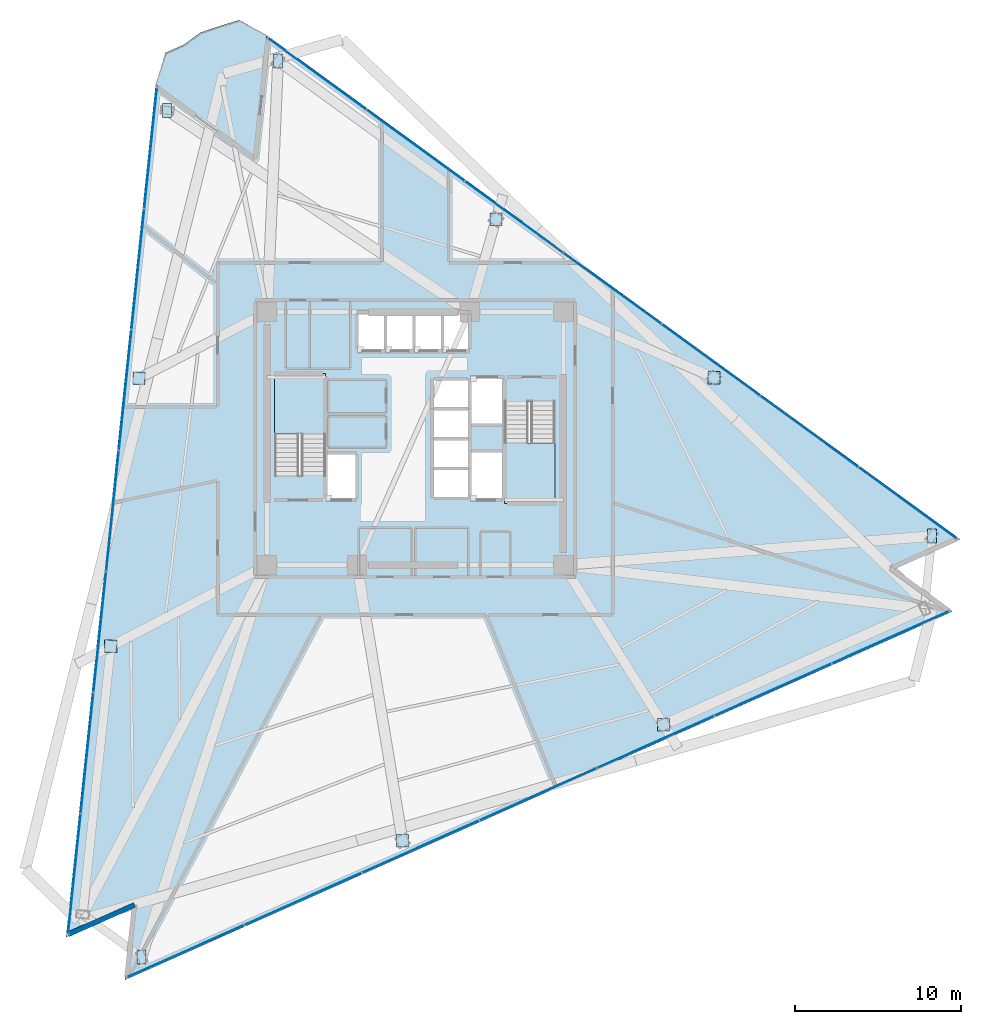
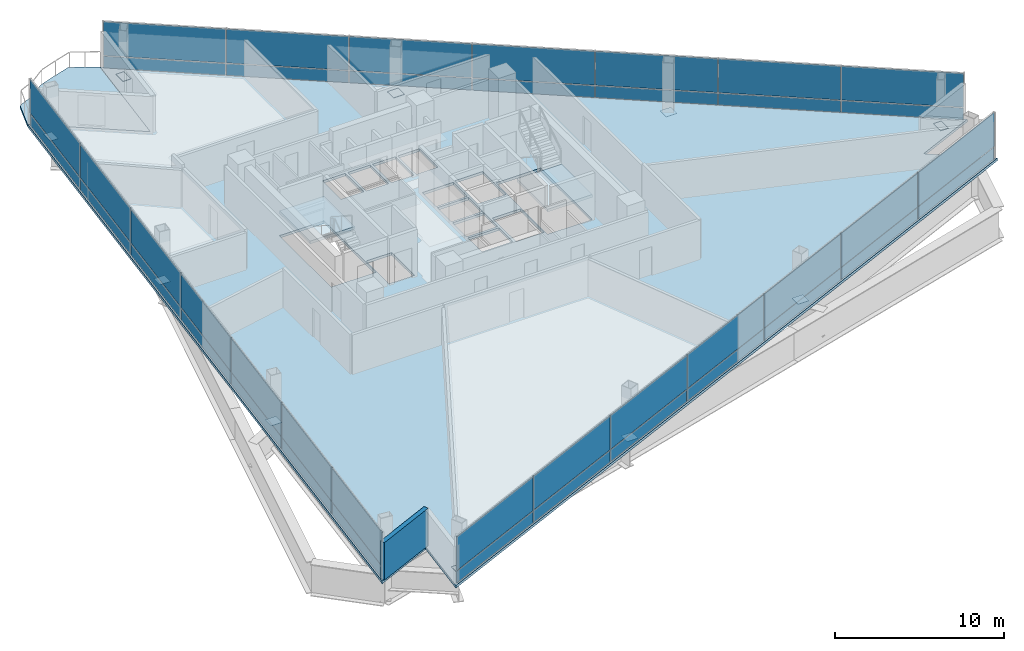
# One storey, part 10 of 17: 52 plates, 4 slabs, 1 wall, 5 elements without a shape of their own.
"""IFC4 building model written with IfcOpenShell, lengths in metres."""

import ifcopenshell
import ifcopenshell.guid

model = None  # the IFC model being written
_history = None  # IfcOwnerHistory: only IFC2X3 demands one
_inside = {}  # id of a spatial element -> (the spatial element, [elements in it])
_under = {}  # id of a project, library or spatial element -> (it, [spatial elements below it])
_declared = {}  # id of a project -> (the project, [libraries it declares])
_typed = {}  # id of a type object -> (the type object, [elements of that type])
_made_of = {}  # id of a material, layer set ... -> (it, [elements and type objects made of it])


def new_model(schema):
    """Start an empty IFC model of exactly this schema.

    Asked for "IFC4X3", IfcOpenShell would pick the latest addendum, in which some entities
    have other attributes; the version numbers below select the first issue.
    IFC2X3 requires an IfcOwnerHistory on every rooted entity: one is made here for all.
    """
    global model, _history
    if schema == "IFC4X3":
        model = ifcopenshell.file(schema_version=(4, 3, 0, 0))
    else:
        model = ifcopenshell.file(schema=schema)
    _inside.clear()
    _under.clear()
    _declared.clear()
    _typed.clear()
    _made_of.clear()
    _history = None
    if model.schema == "IFC2X3":
        org = make("IfcOrganization", Name="unknown")
        user = make(
            "IfcPersonAndOrganization",
            ThePerson=make("IfcPerson", FamilyName="unknown"),
            TheOrganization=org,
        )
        app = make(
            "IfcApplication",
            ApplicationDeveloper=org,
            Version="unknown",
            ApplicationFullName="unknown",
            ApplicationIdentifier="unknown",
        )
        _history = make(
            "IfcOwnerHistory",
            OwningUser=user,
            OwningApplication=app,
            ChangeAction="ADDED",
            CreationDate=0,
        )
    return model


def make(cls, **values):
    """One entity of the class cls with the attributes given. An attribute that is None is left unset."""
    return model.create_entity(
        cls, **{name: value for name, value in values.items() if value is not None}
    )


def rooted(cls, **values):
    """An entity with a GlobalId (a new one), such as an element, a storey or a relation."""
    return make(cls, GlobalId=ifcopenshell.guid.new(), OwnerHistory=_history, **values)


def si_unit(unit_type, name, prefix=None):
    """IfcSIUnit, for example si_unit("LENGTHUNIT", "METRE", prefix="MILLI")."""
    return make("IfcSIUnit", UnitType=unit_type, Prefix=prefix, Name=name)


def assignment(units):
    """IfcUnitAssignment: the units of a project."""
    return None if units is None else make("IfcUnitAssignment", Units=units)


def point(xyz):
    """IfcCartesianPoint."""
    return None if xyz is None else make("IfcCartesianPoint", Coordinates=xyz)


def direction(xyz):
    """IfcDirection."""
    return None if xyz is None else make("IfcDirection", DirectionRatios=xyz)


def frame(location, z_axis=None, x_axis=None):
    """IfcAxis2Placement3D, a coordinate frame: its origin and axes. An axis left out is left unset."""
    return make(
        "IfcAxis2Placement3D",
        Location=point(location),
        Axis=direction(z_axis),
        RefDirection=direction(x_axis),
    )


def frame_2d(location, x_axis=None):
    """IfcAxis2Placement2D, a coordinate frame in the plane: its origin and x axis."""
    return make(
        "IfcAxis2Placement2D", Location=point(location), RefDirection=direction(x_axis)
    )


def origin():
    """The frame at (0, 0, 0) with its axes left unset."""
    return frame((0.0, 0.0, 0.0))


def origin_2d():
    """The frame at (0, 0) in the plane with its x axis left unset."""
    return frame_2d((0.0, 0.0))


def place(relative_to, where):
    """IfcLocalPlacement: puts the frame where relative to a parent placement (None: the world)."""
    return make(
        "IfcLocalPlacement", PlacementRelTo=relative_to, RelativePlacement=where
    )


def context(
    kind, dimensions, precision=None, world=None, true_north=None, identifier=None
):
    """IfcGeometricRepresentationContext, for example the 3D "Model" context."""
    return make(
        "IfcGeometricRepresentationContext",
        ContextIdentifier=identifier,
        ContextType=kind,
        CoordinateSpaceDimension=dimensions,
        Precision=precision,
        WorldCoordinateSystem=world,
        TrueNorth=true_north,
    )


def subcontext(parent, identifier, kind, view, scale=None):
    """IfcGeometricRepresentationSubContext, for example "Body" below "Model"."""
    return make(
        "IfcGeometricRepresentationSubContext",
        ContextIdentifier=identifier,
        ContextType=kind,
        ParentContext=parent,
        TargetScale=scale,
        TargetView=view,
    )


def project(units=None, contexts=None):
    """IfcProject with its units and contexts."""
    return rooted(
        "IfcProject",
        Name="project",
        RepresentationContexts=contexts,
        UnitsInContext=assignment(units),
    )


def spatial(cls, under=None, at=None, **own):
    """A site, building, storey or space (cls), placed at a placement, below another one or the project."""
    s = rooted(cls, ObjectPlacement=at, **own)
    if under is not None:
        _under.setdefault(under.id(), (under, []))[1].append(s)
    return s


def polyline(points):
    """IfcPolyline through the points."""
    return make("IfcPolyline", Points=[point(p) for p in points])


def profile(cls, at=None, kind="AREA", **sizes):
    """A parametric profile (cls). Its sizes go by their IFC names, for example OverallWidth=200.0."""
    return make(cls, ProfileType=kind, Position=at, **sizes)


def rectangle(**sizes):
    """IfcRectangleProfileDef."""
    return profile("IfcRectangleProfileDef", **sizes)


def outline(outer, holes=None, kind="AREA"):
    """IfcArbitraryClosedProfileDef: a profile drawn as a closed curve; with holes, ...WithVoids."""
    if holes is None:
        return make("IfcArbitraryClosedProfileDef", ProfileType=kind, OuterCurve=outer)
    return make(
        "IfcArbitraryProfileDefWithVoids",
        ProfileType=kind,
        OuterCurve=outer,
        InnerCurves=holes,
    )


def extrude(swept, where, along, depth):
    """IfcExtrudedAreaSolid: the profile swept, set in the frame where, extruded along a direction by depth."""
    return make(
        "IfcExtrudedAreaSolid",
        SweptArea=swept,
        Position=where,
        ExtrudedDirection=direction(along),
        Depth=depth,
    )


def shape(context_of_items, identifier, shape_type, items):
    """IfcShapeRepresentation: the items that make up one representation, for example the "Body"."""
    return make(
        "IfcShapeRepresentation",
        ContextOfItems=context_of_items,
        RepresentationIdentifier=identifier,
        RepresentationType=shape_type,
        Items=items,
    )


def material(Name=None, Category=None):
    """IfcMaterial."""
    return make("IfcMaterial", Name=Name, Category=Category)


def layer(
    of_material, thickness, ventilated=None, Name=None, Category=None, Priority=None
):
    """IfcMaterialLayer: one layer of a wall or slab, of a material (None: an air gap)."""
    return make(
        "IfcMaterialLayer",
        Material=of_material,
        LayerThickness=thickness,
        IsVentilated=ventilated,
        Name=Name,
        Category=Category,
        Priority=Priority,
    )


def layer_set(layers, Name=None):
    """IfcMaterialLayerSet."""
    return make("IfcMaterialLayerSet", MaterialLayers=layers, LayerSetName=Name)


def made_of(thing, what):
    """Note that an element or type object is made of a material, layer set ...; save() writes the relation."""
    if what is not None:
        _made_of.setdefault(what.id(), (what, []))[1].append(thing)
    return thing


def type_object(cls, material=None, **own):
    """A type object (cls), such as IfcWallType, which elements share."""
    return made_of(rooted(cls, **own), material)


def element(
    cls,
    number,
    at=None,
    inside=None,
    cuts=None,
    type_object=None,
    material=None,
    context=None,
    identifier="Body",
    shape_type=None,
    held_by="IfcProductDefinitionShape",
    body=None,
    shapes=None,
    **own,
):
    """One element of the class cls, such as IfcWall. Its Tag is "e" and its number.

    at: its placement. inside: the storey or other place that contains it. cuts: it is an
    opening in that element (IfcRelVoidsElement). A single representation is given by context,
    identifier, shape_type and body (its items); several are given by shapes. held_by: the class
    of the entity that holds the representations. save() writes the other relations.
    """
    e = rooted(cls, Tag="e%d" % number, ObjectPlacement=at, **own)
    if body is not None:
        shapes = [shape(context, identifier, shape_type, body)]
    if shapes is not None:
        e.Representation = make(held_by, Representations=shapes)
    if inside is not None:
        _inside.setdefault(inside.id(), (inside, []))[1].append(e)
    if cuts is not None:
        rooted(
            "IfcRelVoidsElement", RelatingBuildingElement=cuts, RelatedOpeningElement=e
        )
    if type_object is not None:
        _typed.setdefault(type_object.id(), (type_object, []))[1].append(e)
    return made_of(e, material)


def aggregate(whole, parts):
    """IfcRelAggregates: a whole, such as a stair, and the parts it consists of."""
    return rooted("IfcRelAggregates", RelatingObject=whole, RelatedObjects=parts)


def save(model, path):
    """Write the relations noted so far, then the file.

    IfcRelAggregates (storeys below a building ...), IfcRelContainedInSpatialStructure (elements
    in a storey), IfcRelDefinesByType, IfcRelAssociatesMaterial and IfcRelDeclares: one each for
    every whole, place, type object, material and project.
    """
    for whole, parts in _under.values():
        aggregate(whole, parts)
    for where, things in _inside.values():
        rooted(
            "IfcRelContainedInSpatialStructure",
            RelatedElements=things,
            RelatingStructure=where,
        )
    for kind, things in _typed.values():
        rooted("IfcRelDefinesByType", RelatedObjects=things, RelatingType=kind)
    for what, things in _made_of.values():
        rooted("IfcRelAssociatesMaterial", RelatedObjects=things, RelatingMaterial=what)
    for by, libraries in _declared.values():
        rooted("IfcRelDeclares", RelatingContext=by, RelatedDefinitions=libraries)
    model.write(path)


model = new_model("IFC4")

# Units and contexts
model_context = context("Model", 3, precision=1e-05, world=origin(), true_north=direction((0.0, 1.0)))
body_context = subcontext(model_context, "Body", "Model", "MODEL_VIEW")
ifc_project = project(units=[si_unit("LENGTHUNIT", "METRE"), si_unit("AREAUNIT", "SQUARE_METRE"), si_unit("VOLUMEUNIT", "CUBIC_METRE"), si_unit("PLANEANGLEUNIT", "RADIAN"), si_unit("MASSUNIT", "GRAM", prefix="KILO")], contexts=[model_context])

# Site, building, storey
site_placement = place(None, origin())
site = spatial("IfcSite", under=ifc_project, at=site_placement, CompositionType="ELEMENT")
building_placement = place(site_placement, origin())
building = spatial("IfcBuilding", under=site, at=building_placement, Name="Tharavind Bronze Gate", CompositionType="ELEMENT")
storey_placement = place(building_placement, frame((0.0, 0.0, 112.449951171875)))
storey = spatial("IfcBuildingStorey", under=building, at=storey_placement, Name="L28", CompositionType="ELEMENT", Elevation=112.449951171875)

# Curtain wall, plates
ifc_material_1 = material(Name="Anodised Bronze Aluminium", Category="aluminium")
ifc_layer_1 = layer(ifc_material_1, 0.219970703125)
ifc_layer_set_1 = layer_set([ifc_layer_1], Name="Anodised Bronze Aluminium")
curtain_wall_type = type_object("IfcCurtainWallType", Name="UNITISED CURTAIN WALL LOWER OFFICE", PredefinedType="USERDEFINED", material=ifc_layer_set_1)
curtain_wall_1_placement = place(storey_placement, origin())
curtain_wall_1 = element("IfcCurtainWall", 1, at=curtain_wall_1_placement, inside=storey, type_object=curtain_wall_type, Name="L28 unitised curtain wall lower office CW-L28-S1", ObjectType="UNITISED CURTAIN WALL", PredefinedType="USERDEFINED")
ifc_material_2 = material(Name="Patinated Bronze Alloy Sheet", Category="bronze")
ifc_layer_2 = layer(ifc_material_2, 0.01611328125)
ifc_layer_set_2 = layer_set([ifc_layer_2], Name="Patinated Bronze Alloy Sheet")
plate_type_1 = type_object("IfcPlateType", Name="BRONZE SPANDREL CLADDING PANEL 16", PredefinedType="CURTAIN_PANEL", material=ifc_layer_set_2)
plate_1_placement = place(storey_placement, frame((-15.909912109375, 17.465087890625, 0.0263671875), z_axis=(0.0, 0.0, 1.0), x_axis=(-0.104526727499, -0.994522077803, 0.0)))
plate_1 = element("IfcPlate", 2, at=plate_1_placement, type_object=plate_type_1, Name="CW-L28-S1 bronze spandrel panel 1", PredefinedType="CURTAIN_PANEL", context=body_context, shape_type="SweptSolid", body=[
    extrude(rectangle(XDim=7.26025390625, YDim=0.01611328125, at=origin_2d()), origin(), (0.0, 0.0, 1.0), 0.846923828125),
])
plate_2_placement = place(storey_placement, frame((-16.67431640625, 10.19189453125, 0.0263671875), z_axis=(0.0, 0.0, 1.0), x_axis=(-0.104526727499, -0.994522077803, 0.0)))
plate_2 = element("IfcPlate", 3, at=plate_2_placement, type_object=plate_type_1, Name="CW-L28-S1 bronze spandrel panel 2", PredefinedType="CURTAIN_PANEL", context=body_context, shape_type="SweptSolid", body=[
    extrude(rectangle(XDim=7.26025390625, YDim=0.01611328125, at=origin_2d()), origin(), (0.0, 0.0, 1.0), 0.846923828125),
])
plate_3_placement = place(storey_placement, frame((-17.438720703125, 2.91845703125, 0.0263671875), z_axis=(0.0, 0.0, 1.0), x_axis=(-0.104526727499, -0.994522077803, 0.0)))
plate_3 = element("IfcPlate", 4, at=plate_3_placement, type_object=plate_type_1, Name="CW-L28-S1 bronze spandrel panel 3", PredefinedType="CURTAIN_PANEL", context=body_context, shape_type="SweptSolid", body=[
    extrude(rectangle(XDim=7.26025390625, YDim=0.01611328125, at=origin_2d()), origin(), (0.0, 0.0, 1.0), 0.846923828125),
])
plate_4_placement = place(storey_placement, frame((-18.203125, -4.354736328125, 0.0263671875), z_axis=(0.0, 0.0, 1.0), x_axis=(-0.104526727499, -0.994522077803, 0.0)))
plate_4 = element("IfcPlate", 5, at=plate_4_placement, type_object=plate_type_1, Name="CW-L28-S1 bronze spandrel panel 4", PredefinedType="CURTAIN_PANEL", context=body_context, shape_type="SweptSolid", body=[
    extrude(rectangle(XDim=7.26025390625, YDim=0.01611328125, at=origin_2d()), origin(), (0.0, 0.0, 1.0), 0.846923828125),
])
plate_5_placement = place(storey_placement, frame((-18.967529296875, -11.628173828125, 0.0263671875), z_axis=(0.0, 0.0, 1.0), x_axis=(-0.104526727499, -0.994522077803, 0.0)))
plate_5 = element("IfcPlate", 6, at=plate_5_placement, type_object=plate_type_1, Name="CW-L28-S1 bronze spandrel panel 5", PredefinedType="CURTAIN_PANEL", context=body_context, shape_type="SweptSolid", body=[
    extrude(rectangle(XDim=7.26025390625, YDim=0.01611328125, at=origin_2d()), origin(), (0.0, 0.0, 1.0), 0.846923828125),
])
plate_6_placement = place(storey_placement, frame((-19.73193359375, -18.9013671875, 0.0263671875), z_axis=(0.0, 0.0, 1.0), x_axis=(-0.104526727499, -0.994522077803, 0.0)))
plate_6 = element("IfcPlate", 7, at=plate_6_placement, type_object=plate_type_1, Name="CW-L28-S1 bronze spandrel panel 6", PredefinedType="CURTAIN_PANEL", context=body_context, shape_type="SweptSolid", body=[
    extrude(rectangle(XDim=7.26025390625, YDim=0.01611328125, at=origin_2d()), origin(), (0.0, 0.0, 1.0), 0.846923828125),
])
plate_7_placement = place(storey_placement, frame((-20.49658203125, -26.1748046875, 0.0263671875), z_axis=(0.0, 0.0, 1.0), x_axis=(-0.104526727499, -0.994522077803, 0.0)))
plate_7 = element("IfcPlate", 8, at=plate_7_placement, type_object=plate_type_1, Name="CW-L28-S1 bronze spandrel panel 7", PredefinedType="CURTAIN_PANEL", context=body_context, shape_type="SweptSolid", body=[
    extrude(rectangle(XDim=7.26025390625, YDim=0.01611328125, at=origin_2d()), origin(), (0.0, 0.0, 1.0), 0.846923828125),
])

curtain_wall_2_placement = place(storey_placement, origin())
curtain_wall_2 = element("IfcCurtainWall", 9, at=curtain_wall_2_placement, inside=storey, type_object=curtain_wall_type, Name="L28 unitised curtain wall lower office CW-L28-S2", ObjectType="UNITISED CURTAIN WALL", PredefinedType="USERDEFINED")
plate_8_placement = place(storey_placement, frame((-13.80419921875, -30.813720703125, 0.0263671875), z_axis=(0.0, 0.0, 1.0), x_axis=(0.913545457643, 0.406736643076, 0.0)))
plate_8 = element("IfcPlate", 10, at=plate_8_placement, type_object=plate_type_1, Name="CW-L28-S2 bronze spandrel panel 1", PredefinedType="CURTAIN_PANEL", context=body_context, shape_type="SweptSolid", body=[
    extrude(rectangle(XDim=7.677490234375, YDim=0.01611328125, at=origin_2d()), origin(), (0.0, 0.0, 1.0), 0.846923828125),
])
plate_9_placement = place(storey_placement, frame((-6.741943359375, -27.66943359375, 0.0263671875), z_axis=(0.0, 0.0, 1.0), x_axis=(0.913545457643, 0.406736643076, 0.0)))
plate_9 = element("IfcPlate", 11, at=plate_9_placement, type_object=plate_type_1, Name="CW-L28-S2 bronze spandrel panel 2", PredefinedType="CURTAIN_PANEL", context=body_context, shape_type="SweptSolid", body=[
    extrude(rectangle(XDim=7.677490234375, YDim=0.01611328125, at=origin_2d()), origin(), (0.0, 0.0, 1.0), 0.846923828125),
])
plate_10_placement = place(storey_placement, frame((0.3203125, -24.525146484375, 0.0263671875), z_axis=(0.0, 0.0, 1.0), x_axis=(0.913545457643, 0.406736643076, 0.0)))
plate_10 = element("IfcPlate", 12, at=plate_10_placement, type_object=plate_type_1, Name="CW-L28-S2 bronze spandrel panel 3", PredefinedType="CURTAIN_PANEL", context=body_context, shape_type="SweptSolid", body=[
    extrude(rectangle(XDim=7.677490234375, YDim=0.01611328125, at=origin_2d()), origin(), (0.0, 0.0, 1.0), 0.846923828125),
])
plate_11_placement = place(storey_placement, frame((7.38232421875, -21.380859375, 0.0263671875), z_axis=(0.0, 0.0, 1.0), x_axis=(0.913545457643, 0.406736643076, 0.0)))
plate_11 = element("IfcPlate", 13, at=plate_11_placement, type_object=plate_type_1, Name="CW-L28-S2 bronze spandrel panel 4", PredefinedType="CURTAIN_PANEL", context=body_context, shape_type="SweptSolid", body=[
    extrude(rectangle(XDim=7.677490234375, YDim=0.01611328125, at=origin_2d()), origin(), (0.0, 0.0, 1.0), 0.846923828125),
])
plate_12_placement = place(storey_placement, frame((14.4443359375, -18.236572265625, 0.0263671875), z_axis=(0.0, 0.0, 1.0), x_axis=(0.913545457643, 0.406736643076, 0.0)))
plate_12 = element("IfcPlate", 14, at=plate_12_placement, type_object=plate_type_1, Name="CW-L28-S2 bronze spandrel panel 5", PredefinedType="CURTAIN_PANEL", context=body_context, shape_type="SweptSolid", body=[
    extrude(rectangle(XDim=7.677490234375, YDim=0.01611328125, at=origin_2d()), origin(), (0.0, 0.0, 1.0), 0.846923828125),
])
plate_13_placement = place(storey_placement, frame((21.506591796875, -15.09228515625, 0.0263671875), z_axis=(0.0, 0.0, 1.0), x_axis=(0.913545457643, 0.406736643076, 0.0)))
plate_13 = element("IfcPlate", 15, at=plate_13_placement, type_object=plate_type_1, Name="CW-L28-S2 bronze spandrel panel 6", PredefinedType="CURTAIN_PANEL", context=body_context, shape_type="SweptSolid", body=[
    extrude(rectangle(XDim=7.677490234375, YDim=0.01611328125, at=origin_2d()), origin(), (0.0, 0.0, 1.0), 0.846923828125),
])
plate_14_placement = place(storey_placement, frame((28.568603515625, -11.947998046875, 0.0263671875), z_axis=(0.0, 0.0, 1.0), x_axis=(0.913545457643, 0.406736643076, 0.0)))
plate_14 = element("IfcPlate", 16, at=plate_14_placement, type_object=plate_type_1, Name="CW-L28-S2 bronze spandrel panel 7", PredefinedType="CURTAIN_PANEL", context=body_context, shape_type="SweptSolid", body=[
    extrude(rectangle(XDim=7.677490234375, YDim=0.01611328125, at=origin_2d()), origin(), (0.0, 0.0, 1.0), 0.846923828125),
])

curtain_wall_3_placement = place(storey_placement, origin())
curtain_wall_3 = element("IfcCurtainWall", 17, at=curtain_wall_3_placement, inside=storey, type_object=curtain_wall_type, Name="L28 unitised curtain wall lower office CW-L28-S3", ObjectType="UNITISED CURTAIN WALL", PredefinedType="USERDEFINED")
plate_15_placement = place(storey_placement, frame((29.599365234375, -3.87060546875, 0.0263671875), z_axis=(0.0, 0.0, 1.0), x_axis=(-0.809016994375, 0.587785252292, 0.0)))
plate_15 = element("IfcPlate", 18, at=plate_15_placement, type_object=plate_type_1, Name="CW-L28-S3 bronze spandrel panel 1", PredefinedType="CURTAIN_PANEL", context=body_context, shape_type="SweptSolid", body=[
    extrude(rectangle(XDim=7.260498046875, YDim=0.01611328125, at=origin_2d()), origin(), (0.0, 0.0, 1.0), 0.846923828125),
])
plate_16_placement = place(storey_placement, frame((23.6826171875, 0.427978515625, 0.0263671875), z_axis=(0.0, 0.0, 1.0), x_axis=(-0.809016994375, 0.587785252292, 0.0)))
plate_16 = element("IfcPlate", 19, at=plate_16_placement, type_object=plate_type_1, Name="CW-L28-S3 bronze spandrel panel 2", PredefinedType="CURTAIN_PANEL", context=body_context, shape_type="SweptSolid", body=[
    extrude(rectangle(XDim=7.260498046875, YDim=0.01611328125, at=origin_2d()), origin(), (0.0, 0.0, 1.0), 0.846923828125),
])
plate_17_placement = place(storey_placement, frame((17.76611328125, 4.726806640625, 0.0263671875), z_axis=(0.0, 0.0, 1.0), x_axis=(-0.809016994375, 0.587785252292, 0.0)))
plate_17 = element("IfcPlate", 20, at=plate_17_placement, type_object=plate_type_1, Name="CW-L28-S3 bronze spandrel panel 3", PredefinedType="CURTAIN_PANEL", context=body_context, shape_type="SweptSolid", body=[
    extrude(rectangle(XDim=7.260498046875, YDim=0.01611328125, at=origin_2d()), origin(), (0.0, 0.0, 1.0), 0.846923828125),
])
plate_18_placement = place(storey_placement, frame((11.849365234375, 9.025390625, 0.0263671875), z_axis=(0.0, 0.0, 1.0), x_axis=(-0.809016994375, 0.587785252292, 0.0)))
plate_18 = element("IfcPlate", 21, at=plate_18_placement, type_object=plate_type_1, Name="CW-L28-S3 bronze spandrel panel 4", PredefinedType="CURTAIN_PANEL", context=body_context, shape_type="SweptSolid", body=[
    extrude(rectangle(XDim=7.260498046875, YDim=0.01611328125, at=origin_2d()), origin(), (0.0, 0.0, 1.0), 0.846923828125),
])
plate_19_placement = place(storey_placement, frame((5.932861328125, 13.32421875, 0.0263671875), z_axis=(0.0, 0.0, 1.0), x_axis=(-0.809016994375, 0.587785252292, 0.0)))
plate_19 = element("IfcPlate", 22, at=plate_19_placement, type_object=plate_type_1, Name="CW-L28-S3 bronze spandrel panel 5", PredefinedType="CURTAIN_PANEL", context=body_context, shape_type="SweptSolid", body=[
    extrude(rectangle(XDim=7.260498046875, YDim=0.01611328125, at=origin_2d()), origin(), (0.0, 0.0, 1.0), 0.846923828125),
])
plate_20_placement = place(storey_placement, frame((0.01611328125, 17.622802734375, 0.0263671875), z_axis=(0.0, 0.0, 1.0), x_axis=(-0.809016994375, 0.587785252292, 0.0)))
plate_20 = element("IfcPlate", 23, at=plate_20_placement, type_object=plate_type_1, Name="CW-L28-S3 bronze spandrel panel 6", PredefinedType="CURTAIN_PANEL", context=body_context, shape_type="SweptSolid", body=[
    extrude(rectangle(XDim=7.260498046875, YDim=0.01611328125, at=origin_2d()), origin(), (0.0, 0.0, 1.0), 0.846923828125),
])
plate_21_placement = place(storey_placement, frame((-5.900390625, 21.921630859375, 0.0263671875), z_axis=(0.0, 0.0, 1.0), x_axis=(-0.809016994375, 0.587785252292, 0.0)))
plate_21 = element("IfcPlate", 24, at=plate_21_placement, type_object=plate_type_1, Name="CW-L28-S3 bronze spandrel panel 7", PredefinedType="CURTAIN_PANEL", context=body_context, shape_type="SweptSolid", body=[
    extrude(rectangle(XDim=7.260498046875, YDim=0.01611328125, at=origin_2d()), origin(), (0.0, 0.0, 1.0), 0.846923828125),
])

# Plate
ifc_material_3 = material(Name="Low-E Double Glazing", Category="glass")
ifc_layer_3 = layer(ifc_material_3, 0.031982421875)
ifc_layer_set_3 = layer_set([ifc_layer_3], Name="Low-E Double Glazing")
plate_type_2 = type_object("IfcPlateType", Name="DOUBLE GLAZED FACADE PANEL 32", PredefinedType="CURTAIN_PANEL", material=ifc_layer_set_3)
plate_22_placement = place(storey_placement, frame((-15.909912109375, 17.465087890625, 0.926513671875), z_axis=(0.0, 0.0, 1.0), x_axis=(-0.104526727499, -0.994522077803, 0.0)))
plate_22 = element("IfcPlate", 25, at=plate_22_placement, type_object=plate_type_2, Name="CW-L28-S1 vision glazing panel 1", PredefinedType="CURTAIN_PANEL", context=body_context, shape_type="SweptSolid", body=[
    extrude(rectangle(XDim=7.26025390625, YDim=0.031982421875, at=origin_2d()), origin(), (0.0, 0.0, 1.0), 2.45703125),
])

plate_23_placement = place(storey_placement, frame((-16.67431640625, 10.19189453125, 0.926513671875), z_axis=(0.0, 0.0, 1.0), x_axis=(-0.104526727499, -0.994522077803, 0.0)))
plate_23 = element("IfcPlate", 26, at=plate_23_placement, type_object=plate_type_2, Name="CW-L28-S1 vision glazing panel 2", PredefinedType="CURTAIN_PANEL", context=body_context, shape_type="SweptSolid", body=[
    extrude(rectangle(XDim=7.26025390625, YDim=0.031982421875, at=origin_2d()), origin(), (0.0, 0.0, 1.0), 2.45703125),
])

plate_24_placement = place(storey_placement, frame((-17.438720703125, 2.91845703125, 0.926513671875), z_axis=(0.0, 0.0, 1.0), x_axis=(-0.104526727499, -0.994522077803, 0.0)))
plate_24 = element("IfcPlate", 27, at=plate_24_placement, type_object=plate_type_2, Name="CW-L28-S1 vision glazing panel 3", PredefinedType="CURTAIN_PANEL", context=body_context, shape_type="SweptSolid", body=[
    extrude(rectangle(XDim=7.26025390625, YDim=0.031982421875, at=origin_2d()), origin(), (0.0, 0.0, 1.0), 2.45703125),
])

plate_25_placement = place(storey_placement, frame((-18.203125, -4.354736328125, 0.926513671875), z_axis=(0.0, 0.0, 1.0), x_axis=(-0.104526727499, -0.994522077803, 0.0)))
plate_25 = element("IfcPlate", 28, at=plate_25_placement, type_object=plate_type_2, Name="CW-L28-S1 vision glazing panel 4", PredefinedType="CURTAIN_PANEL", context=body_context, shape_type="SweptSolid", body=[
    extrude(rectangle(XDim=7.26025390625, YDim=0.031982421875, at=origin_2d()), origin(), (0.0, 0.0, 1.0), 2.45703125),
])

plate_26_placement = place(storey_placement, frame((-18.967529296875, -11.628173828125, 0.926513671875), z_axis=(0.0, 0.0, 1.0), x_axis=(-0.104526727499, -0.994522077803, 0.0)))
plate_26 = element("IfcPlate", 29, at=plate_26_placement, type_object=plate_type_2, Name="CW-L28-S1 vision glazing panel 5", PredefinedType="CURTAIN_PANEL", context=body_context, shape_type="SweptSolid", body=[
    extrude(rectangle(XDim=7.26025390625, YDim=0.031982421875, at=origin_2d()), origin(), (0.0, 0.0, 1.0), 2.45703125),
])

plate_27_placement = place(storey_placement, frame((-19.73193359375, -18.9013671875, 0.926513671875), z_axis=(0.0, 0.0, 1.0), x_axis=(-0.104526727499, -0.994522077803, 0.0)))
plate_27 = element("IfcPlate", 30, at=plate_27_placement, type_object=plate_type_2, Name="CW-L28-S1 vision glazing panel 6", PredefinedType="CURTAIN_PANEL", context=body_context, shape_type="SweptSolid", body=[
    extrude(rectangle(XDim=7.26025390625, YDim=0.031982421875, at=origin_2d()), origin(), (0.0, 0.0, 1.0), 2.45703125),
])

plate_28_placement = place(storey_placement, frame((-20.49658203125, -26.1748046875, 0.926513671875), z_axis=(0.0, 0.0, 1.0), x_axis=(-0.104526727499, -0.994522077803, 0.0)))
plate_28 = element("IfcPlate", 31, at=plate_28_placement, type_object=plate_type_2, Name="CW-L28-S1 vision glazing panel 7", PredefinedType="CURTAIN_PANEL", context=body_context, shape_type="SweptSolid", body=[
    extrude(rectangle(XDim=7.26025390625, YDim=0.031982421875, at=origin_2d()), origin(), (0.0, 0.0, 1.0), 2.45703125),
])

aggregate(curtain_wall_1, [plate_1, plate_22, plate_2, plate_23, plate_3, plate_24, plate_4, plate_25, plate_5, plate_26, plate_6, plate_27, plate_7, plate_28])

plate_29_placement = place(storey_placement, frame((-13.80419921875, -30.813720703125, 0.926513671875), z_axis=(0.0, 0.0, 1.0), x_axis=(0.913545457643, 0.406736643076, 0.0)))
plate_29 = element("IfcPlate", 32, at=plate_29_placement, type_object=plate_type_2, Name="CW-L28-S2 vision glazing panel 1", PredefinedType="CURTAIN_PANEL", context=body_context, shape_type="SweptSolid", body=[
    extrude(rectangle(XDim=7.677490234375, YDim=0.031982421875, at=origin_2d()), origin(), (0.0, 0.0, 1.0), 2.45703125),
])

plate_30_placement = place(storey_placement, frame((-6.741943359375, -27.66943359375, 0.926513671875), z_axis=(0.0, 0.0, 1.0), x_axis=(0.913545457643, 0.406736643076, 0.0)))
plate_30 = element("IfcPlate", 33, at=plate_30_placement, type_object=plate_type_2, Name="CW-L28-S2 vision glazing panel 2", PredefinedType="CURTAIN_PANEL", context=body_context, shape_type="SweptSolid", body=[
    extrude(rectangle(XDim=7.677490234375, YDim=0.031982421875, at=origin_2d()), origin(), (0.0, 0.0, 1.0), 2.45703125),
])

plate_31_placement = place(storey_placement, frame((0.3203125, -24.525146484375, 0.926513671875), z_axis=(0.0, 0.0, 1.0), x_axis=(0.913545457643, 0.406736643076, 0.0)))
plate_31 = element("IfcPlate", 34, at=plate_31_placement, type_object=plate_type_2, Name="CW-L28-S2 vision glazing panel 3", PredefinedType="CURTAIN_PANEL", context=body_context, shape_type="SweptSolid", body=[
    extrude(rectangle(XDim=7.677490234375, YDim=0.031982421875, at=origin_2d()), origin(), (0.0, 0.0, 1.0), 2.45703125),
])

plate_32_placement = place(storey_placement, frame((7.38232421875, -21.380859375, 0.926513671875), z_axis=(0.0, 0.0, 1.0), x_axis=(0.913545457643, 0.406736643076, 0.0)))
plate_32 = element("IfcPlate", 35, at=plate_32_placement, type_object=plate_type_2, Name="CW-L28-S2 vision glazing panel 4", PredefinedType="CURTAIN_PANEL", context=body_context, shape_type="SweptSolid", body=[
    extrude(rectangle(XDim=7.677490234375, YDim=0.031982421875, at=origin_2d()), origin(), (0.0, 0.0, 1.0), 2.45703125),
])

plate_33_placement = place(storey_placement, frame((14.4443359375, -18.236572265625, 0.926513671875), z_axis=(0.0, 0.0, 1.0), x_axis=(0.913545457643, 0.406736643076, 0.0)))
plate_33 = element("IfcPlate", 36, at=plate_33_placement, type_object=plate_type_2, Name="CW-L28-S2 vision glazing panel 5", PredefinedType="CURTAIN_PANEL", context=body_context, shape_type="SweptSolid", body=[
    extrude(rectangle(XDim=7.677490234375, YDim=0.031982421875, at=origin_2d()), origin(), (0.0, 0.0, 1.0), 2.45703125),
])

plate_34_placement = place(storey_placement, frame((21.506591796875, -15.09228515625, 0.926513671875), z_axis=(0.0, 0.0, 1.0), x_axis=(0.913545457643, 0.406736643076, 0.0)))
plate_34 = element("IfcPlate", 37, at=plate_34_placement, type_object=plate_type_2, Name="CW-L28-S2 vision glazing panel 6", PredefinedType="CURTAIN_PANEL", context=body_context, shape_type="SweptSolid", body=[
    extrude(rectangle(XDim=7.677490234375, YDim=0.031982421875, at=origin_2d()), origin(), (0.0, 0.0, 1.0), 2.45703125),
])

plate_35_placement = place(storey_placement, frame((28.568603515625, -11.947998046875, 0.926513671875), z_axis=(0.0, 0.0, 1.0), x_axis=(0.913545457643, 0.406736643076, 0.0)))
plate_35 = element("IfcPlate", 38, at=plate_35_placement, type_object=plate_type_2, Name="CW-L28-S2 vision glazing panel 7", PredefinedType="CURTAIN_PANEL", context=body_context, shape_type="SweptSolid", body=[
    extrude(rectangle(XDim=7.677490234375, YDim=0.031982421875, at=origin_2d()), origin(), (0.0, 0.0, 1.0), 2.45703125),
])

aggregate(curtain_wall_2, [plate_8, plate_29, plate_9, plate_30, plate_10, plate_31, plate_11, plate_32, plate_12, plate_33, plate_13, plate_34, plate_14, plate_35])

plate_36_placement = place(storey_placement, frame((29.599365234375, -3.87060546875, 0.926513671875), z_axis=(0.0, 0.0, 1.0), x_axis=(-0.809016994375, 0.587785252292, 0.0)))
plate_36 = element("IfcPlate", 39, at=plate_36_placement, type_object=plate_type_2, Name="CW-L28-S3 vision glazing panel 1", PredefinedType="CURTAIN_PANEL", context=body_context, shape_type="SweptSolid", body=[
    extrude(rectangle(XDim=7.260498046875, YDim=0.031982421875, at=origin_2d()), origin(), (0.0, 0.0, 1.0), 2.45703125),
])

plate_37_placement = place(storey_placement, frame((23.6826171875, 0.427978515625, 0.926513671875), z_axis=(0.0, 0.0, 1.0), x_axis=(-0.809016994375, 0.587785252292, 0.0)))
plate_37 = element("IfcPlate", 40, at=plate_37_placement, type_object=plate_type_2, Name="CW-L28-S3 vision glazing panel 2", PredefinedType="CURTAIN_PANEL", context=body_context, shape_type="SweptSolid", body=[
    extrude(rectangle(XDim=7.260498046875, YDim=0.031982421875, at=origin_2d()), origin(), (0.0, 0.0, 1.0), 2.45703125),
])

plate_38_placement = place(storey_placement, frame((17.76611328125, 4.726806640625, 0.926513671875), z_axis=(0.0, 0.0, 1.0), x_axis=(-0.809016994375, 0.587785252292, 0.0)))
plate_38 = element("IfcPlate", 41, at=plate_38_placement, type_object=plate_type_2, Name="CW-L28-S3 vision glazing panel 3", PredefinedType="CURTAIN_PANEL", context=body_context, shape_type="SweptSolid", body=[
    extrude(rectangle(XDim=7.260498046875, YDim=0.031982421875, at=origin_2d()), origin(), (0.0, 0.0, 1.0), 2.45703125),
])

plate_39_placement = place(storey_placement, frame((11.849365234375, 9.025390625, 0.926513671875), z_axis=(0.0, 0.0, 1.0), x_axis=(-0.809016994375, 0.587785252292, 0.0)))
plate_39 = element("IfcPlate", 42, at=plate_39_placement, type_object=plate_type_2, Name="CW-L28-S3 vision glazing panel 4", PredefinedType="CURTAIN_PANEL", context=body_context, shape_type="SweptSolid", body=[
    extrude(rectangle(XDim=7.260498046875, YDim=0.031982421875, at=origin_2d()), origin(), (0.0, 0.0, 1.0), 2.45703125),
])

plate_40_placement = place(storey_placement, frame((5.932861328125, 13.32421875, 0.926513671875), z_axis=(0.0, 0.0, 1.0), x_axis=(-0.809016994375, 0.587785252292, 0.0)))
plate_40 = element("IfcPlate", 43, at=plate_40_placement, type_object=plate_type_2, Name="CW-L28-S3 vision glazing panel 5", PredefinedType="CURTAIN_PANEL", context=body_context, shape_type="SweptSolid", body=[
    extrude(rectangle(XDim=7.260498046875, YDim=0.031982421875, at=origin_2d()), origin(), (0.0, 0.0, 1.0), 2.45703125),
])

plate_41_placement = place(storey_placement, frame((0.01611328125, 17.622802734375, 0.926513671875), z_axis=(0.0, 0.0, 1.0), x_axis=(-0.809016994375, 0.587785252292, 0.0)))
plate_41 = element("IfcPlate", 44, at=plate_41_placement, type_object=plate_type_2, Name="CW-L28-S3 vision glazing panel 6", PredefinedType="CURTAIN_PANEL", context=body_context, shape_type="SweptSolid", body=[
    extrude(rectangle(XDim=7.260498046875, YDim=0.031982421875, at=origin_2d()), origin(), (0.0, 0.0, 1.0), 2.45703125),
])

plate_42_placement = place(storey_placement, frame((-5.900390625, 21.921630859375, 0.926513671875), z_axis=(0.0, 0.0, 1.0), x_axis=(-0.809016994375, 0.587785252292, 0.0)))
plate_42 = element("IfcPlate", 45, at=plate_42_placement, type_object=plate_type_2, Name="CW-L28-S3 vision glazing panel 7", PredefinedType="CURTAIN_PANEL", context=body_context, shape_type="SweptSolid", body=[
    extrude(rectangle(XDim=7.260498046875, YDim=0.031982421875, at=origin_2d()), origin(), (0.0, 0.0, 1.0), 2.45703125),
])

aggregate(curtain_wall_3, [plate_15, plate_36, plate_16, plate_37, plate_17, plate_38, plate_18, plate_39, plate_19, plate_40, plate_20, plate_41, plate_21, plate_42])

# Slab
ifc_material_4 = material(Name="Concrete C40/50", Category="concrete")
ifc_layer_4 = layer(ifc_material_4, 0.179931640625)
ifc_layer_set_4 = layer_set([ifc_layer_4], Name="Concrete C40/50")
slab_type_1 = type_object("IfcSlabType", Name="EXTERIOR BALCONY SLAB 180", PredefinedType="FLOOR", material=ifc_layer_set_4)
slab_1_placement = place(storey_placement, frame((0.0, 0.0, -0.179931640625)))
element("IfcSlab", 46, at=slab_1_placement, inside=storey, type_object=slab_type_1, Name="L28 northeast tree balcony slab", PredefinedType="FLOOR", context=body_context, shape_type="SweptSolid", body=[
    extrude(outline(polyline([(-10.579833984375, 25.165283203125), (-11.75146484375, 24.8056640625), (-12.90869140625, 24.413330078125), (-13.914306640625, 23.680908203125), (-15.02587890625, 23.18603515625), (-15.60888671875, 21.284423828125), (-9.703125, 16.99365234375), (-8.940185546875, 24.253662109375), (-10.579833984375, 25.165283203125)])), origin(), (0.0, 0.0, 1.0), 0.179931640625),
])

# Stair, slab
stair_type = type_object("IfcStairType", Name="CORE HALF TURN STAIR 1450", PredefinedType="HALF_TURN_STAIR", material=ifc_material_4)
stair_1_placement = place(storey_placement, origin())
stair_1 = element("IfcStair", 47, at=stair_1_placement, inside=storey, type_object=stair_type, Name="L28 Protected Exit Stair ST1", PredefinedType="HALF_TURN_STAIR")
ifc_layer_5 = layer(ifc_material_4, 0.199951171875)
ifc_layer_set_5 = layer_set([ifc_layer_5], Name="Concrete C40/50")
slab_type_2 = type_object("IfcSlabType", Name="STAIR LANDING SLAB 200", PredefinedType="LANDING", material=ifc_layer_set_5)
slab_2_placement = place(storey_placement, frame((0.0, 0.0, 1.60009765625)))
slab_2 = element("IfcSlab", 48, at=slab_2_placement, type_object=slab_type_2, Name="ST1 landing 1", PredefinedType="LANDING", context=body_context, shape_type="SweptSolid", body=[
    extrude(outline(polyline([(-5.39990234375, 0.27001953125), (-5.39990234375, 3.89990234375), (-8.449951171875, 3.89990234375), (-8.449951171875, 0.27001953125), (-5.39990234375, 0.27001953125)])), origin(), (0.0, 0.0, 1.0), 0.199951171875),
])
aggregate(stair_1, [slab_2])

stair_2_placement = place(storey_placement, origin())
stair_2 = element("IfcStair", 49, at=stair_2_placement, inside=storey, type_object=stair_type, Name="L28 Protected Exit Stair ST2", PredefinedType="HALF_TURN_STAIR")
slab_3_placement = place(storey_placement, frame((0.0, 0.0, 1.60009765625)))
slab_3 = element("IfcSlab", 50, at=slab_3_placement, type_object=slab_type_2, Name="ST2 landing 1", PredefinedType="LANDING", context=body_context, shape_type="SweptSolid", body=[
    extrude(outline(polyline([(5.35009765625, -0.27001953125), (5.35009765625, -3.89990234375), (8.39990234375, -3.89990234375), (8.39990234375, -0.27001953125), (5.35009765625, -0.27001953125)])), origin(), (0.0, 0.0, 1.0), 0.199951171875),
])
aggregate(stair_2, [slab_3])

# Plates
ifc_material_5 = material(Name="Steel S460", Category="steel")
ifc_layer_6 = layer(ifc_material_5, 0.02490234375)
ifc_layer_set_6 = layer_set([ifc_layer_6], Name="Steel S460")
plate_type_3 = type_object("IfcPlateType", Name="STEEL END CAP SHEET 25", PredefinedType="SHEET", material=ifc_layer_set_6)
plate_43_placement = place(storey_placement, frame((-14.91748046875, 19.7314453125, -0.202392578125), z_axis=(0.0, 0.0, 1.0), x_axis=(1.0, 0.0, 0.0)))
element("IfcPlate", 51, at=plate_43_placement, inside=storey, type_object=plate_type_3, Name="Steel end cap plate CAP-COLB-L28-S1C1", PredefinedType="SHEET", context=body_context, shape_type="SweptSolid", body=[
    extrude(rectangle(XDim=0.544921875, YDim=0.844970703125, at=origin_2d()), origin(), (0.0, 0.0, 1.0), 0.02490234375),
])
for number, where, z_axis, x_axis, name in (
    (52, (-16.610595703125, 3.62158203125, -0.202392578125), (0.0, 0.0, 1.0), (1.0, 0.0, 0.0), "Steel end cap plate CAP-COLB-L28-S1C2"),
    (53, (-18.303955078125, -12.488037109375, -0.012451171875), (0.0, 0.0, 1.0), (1.0, 0.0, 0.0), "Steel end cap plate CAP-COLB-L28-S1C3"),
):
    element("IfcPlate", number, at=place(storey_placement, frame(where, z_axis=z_axis, x_axis=x_axis)), inside=storey, type_object=plate_type_3, Name=name, PredefinedType="SHEET", context=body_context, shape_type="SweptSolid", body=[
        extrude(rectangle(XDim=0.7451171875, YDim=0.7451171875, at=origin_2d()), origin(), (0.0, 0.0, 1.0), 0.02490234375),
    ])
plate_44_placement = place(storey_placement, frame((-16.45361328125, -31.17236328125, -0.012451171875), z_axis=(0.0, 0.0, 1.0), x_axis=(1.0, 0.0, 0.0)))
element("IfcPlate", 54, at=plate_44_placement, inside=storey, type_object=plate_type_3, Name="Steel end cap plate CAP-COLB-L28-S2C1", PredefinedType="SHEET", context=body_context, shape_type="SweptSolid", body=[
    extrude(rectangle(XDim=0.544921875, YDim=0.844970703125, at=origin_2d()), origin(), (0.0, 0.0, 1.0), 0.02490234375),
])
for number, where, z_axis, x_axis, name in (
    (55, (-0.766357421875, -24.18798828125, -0.202392578125), (0.0, 0.0, 1.0), (1.0, 0.0, 0.0), "Steel end cap plate CAP-COLB-L28-S2C2"),
    (56, (14.9208984375, -17.20361328125, -0.012451171875), (0.0, 0.0, 1.0), (1.0, 0.0, 0.0), "Steel end cap plate CAP-COLB-L28-S2C3"),
):
    element("IfcPlate", number, at=place(storey_placement, frame(where, z_axis=z_axis, x_axis=x_axis)), inside=storey, type_object=plate_type_3, Name=name, PredefinedType="SHEET", context=body_context, shape_type="SweptSolid", body=[
        extrude(rectangle(XDim=0.7451171875, YDim=0.7451171875, at=origin_2d()), origin(), (0.0, 0.0, 1.0), 0.02490234375),
    ])
plate_45_placement = place(storey_placement, frame((31.06591796875, -5.863037109375, -0.012451171875), z_axis=(0.0, 0.0, 1.0), x_axis=(1.0, 0.0, 0.0)))
element("IfcPlate", 57, at=plate_45_placement, inside=storey, type_object=plate_type_3, Name="Steel end cap plate CAP-COLB-L28-S3C1", PredefinedType="SHEET", context=body_context, shape_type="SweptSolid", body=[
    extrude(rectangle(XDim=0.544921875, YDim=0.844970703125, at=origin_2d()), origin(), (0.0, 0.0, 1.0), 0.02490234375),
])
for number, where, z_axis, x_axis, name in (
    (58, (17.961181640625, 3.658203125, -0.202392578125), (0.0, 0.0, 1.0), (1.0, 0.0, 0.0), "Steel end cap plate CAP-COLB-L28-S3C2"),
    (59, (4.856201171875, 13.179443359375, -0.012451171875), (0.0, 0.0, 1.0), (1.0, 0.0, 0.0), "Steel end cap plate CAP-COLB-L28-S3C3"),
):
    element("IfcPlate", number, at=place(storey_placement, frame(where, z_axis=z_axis, x_axis=x_axis)), inside=storey, type_object=plate_type_3, Name=name, PredefinedType="SHEET", context=body_context, shape_type="SweptSolid", body=[
        extrude(rectangle(XDim=0.7451171875, YDim=0.7451171875, at=origin_2d()), origin(), (0.0, 0.0, 1.0), 0.02490234375),
    ])
plate_46_placement = place(storey_placement, frame((-8.24853515625, 22.70068359375, -0.012451171875), z_axis=(0.0, 0.0, 1.0), x_axis=(1.0, 0.0, 0.0)))
element("IfcPlate", 60, at=plate_46_placement, inside=storey, type_object=plate_type_3, Name="Steel end cap plate CAP-COLB-L28-S3C4", PredefinedType="SHEET", context=body_context, shape_type="SweptSolid", body=[
    extrude(rectangle(XDim=0.544921875, YDim=0.844970703125, at=origin_2d()), origin(), (0.0, 0.0, 1.0), 0.02490234375),
])

# Slab
ifc_layer_7 = layer(ifc_material_4, 0.18994140625)
ifc_layer_set_7 = layer_set([ifc_layer_7], Name="Concrete C40/50")
slab_type_3 = type_object("IfcSlabType", Name="STRUCTURAL FLOOR SLAB 190", PredefinedType="FLOOR", material=ifc_layer_set_7)
slab_4_placement = place(storey_placement, frame((0.0, 0.0, -0.18994140625)))
element("IfcSlab", 61, at=slab_4_placement, inside=storey, type_object=slab_type_3, Name="L28 main structural floor slab", PredefinedType="FLOOR", context=body_context, shape_type="SweptSolid", body=[
    extrude(outline(polyline([(-8.940185546875, 24.253662109375), (-9.703125, 16.99365234375), (-15.60888671875, 21.284423828125), (-20.996337890625, -29.97314453125), (-16.9951171875, -28.191650390625), (-17.452880859375, -32.547607421875), (32.298583984375, -10.396728515625), (28.755126953125, -7.822265625), (32.756591796875, -6.040771484375), (-8.940185546875, 24.253662109375)]), holes=[polyline([(-5.39990234375, -2.215087890625), (-5.39990234375, 3.89990234375), (-8.449951171875, 3.89990234375), (-8.449951171875, -2.215087890625), (-5.39990234375, -2.215087890625)]), polyline([(5.35009765625, 2.215087890625), (5.35009765625, -3.89990234375), (8.39990234375, -3.89990234375), (8.39990234375, 2.215087890625), (5.35009765625, 2.215087890625)]), polyline([(-3.419921875, 5.330078125), (-1.867431640625, 5.330078125), (-1.867431640625, 7.52001953125), (-3.419921875, 7.52001953125), (-3.419921875, 5.330078125)]), polyline([(-1.70751953125, 5.330078125), (-0.155029296875, 5.330078125), (-0.155029296875, 7.52001953125), (-1.70751953125, 7.52001953125), (-1.70751953125, 5.330078125)]), polyline([(0.0048828125, 5.330078125), (1.5576171875, 5.330078125), (1.5576171875, 7.52001953125), (0.0048828125, 7.52001953125), (0.0048828125, 5.330078125)]), polyline([(1.717529296875, 5.330078125), (3.199951171875, 5.330078125), (3.199951171875, 7.52001953125), (1.717529296875, 7.52001953125), (1.717529296875, 5.330078125)]), polyline([(1.080078125, -3.52001953125), (3.199951171875, -3.52001953125), (3.199951171875, -1.8798828125), (1.080078125, -1.8798828125), (1.080078125, -3.52001953125)]), polyline([(1.080078125, -1.719970703125), (3.199951171875, -1.719970703125), (3.199951171875, -0.080078125), (1.080078125, -0.080078125), (1.080078125, -1.719970703125)]), polyline([(1.080078125, 0.080078125), (3.199951171875, 0.080078125), (3.199951171875, 1.719970703125), (1.080078125, 1.719970703125), (1.080078125, 0.080078125)]), polyline([(1.080078125, 1.8798828125), (3.199951171875, 1.8798828125), (3.199951171875, 3.52001953125), (1.080078125, 3.52001953125), (1.080078125, 1.8798828125)]), polyline([(-5.320068359375, -3.6201171875), (-3.580078125, -3.6201171875), (-3.580078125, -0.929931640625), (-5.320068359375, -0.929931640625), (-5.320068359375, -3.6201171875)]), polyline([(3.360107421875, 0.8798828125), (5.27001953125, 0.8798828125), (5.27001953125, 3.6201171875), (3.360107421875, 3.6201171875), (3.360107421875, 0.8798828125)]), polyline([(3.360107421875, -3.6201171875), (5.27001953125, -3.6201171875), (5.27001953125, -0.830078125), (3.360107421875, -0.830078125), (3.360107421875, -3.6201171875)])]), origin(), (0.0, 0.0, 1.0), 0.18994140625),
])

# Wall
ifc_layer_8 = layer(ifc_material_4, 0.300048828125)
ifc_layer_set_8 = layer_set([ifc_layer_8], Name="Concrete C40/50")
wall_type = type_object("IfcWallType", Name="EXTERIOR SPANDREL WALL 300", PredefinedType="STANDARD", material=ifc_layer_set_8)
wall_placement = place(storey_placement, frame((-20.878662109375, -29.811279296875, 0.0), z_axis=(0.0, 0.0, 1.0), x_axis=(0.913542411385, 0.406743485013, 0.0)))
element("IfcWall", 62, at=wall_placement, inside=storey, type_object=wall_type, Name="L28 notch cheek wall 2A", PredefinedType="STANDARD", context=body_context, shape_type="SweptSolid", body=[
    extrude(rectangle(XDim=4.3798828125, YDim=0.300048828125, at=frame_2d((2.18994140625, 0.0))), origin(), (0.0, 0.0, 1.0), 2.705078125),
])

save(model, "model.ifc")
